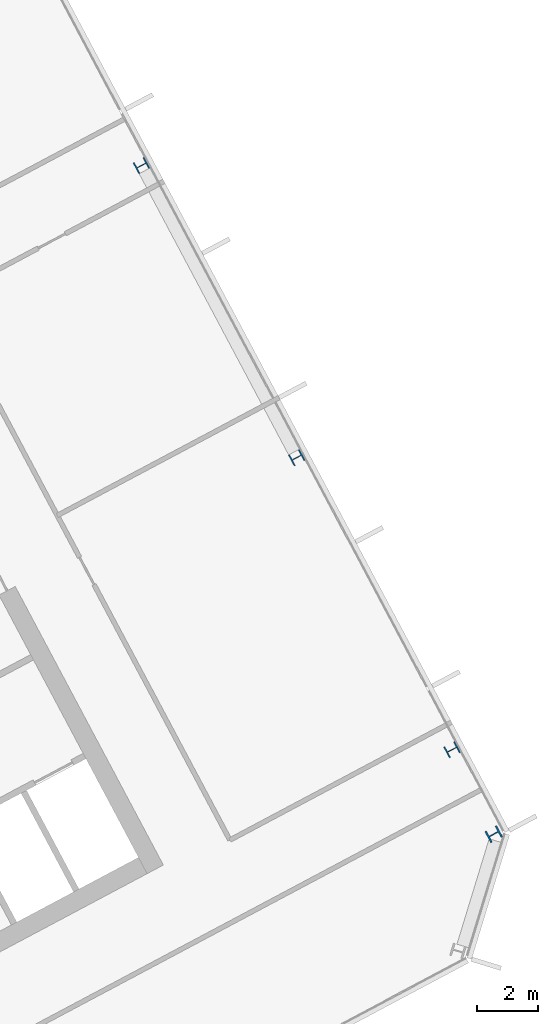
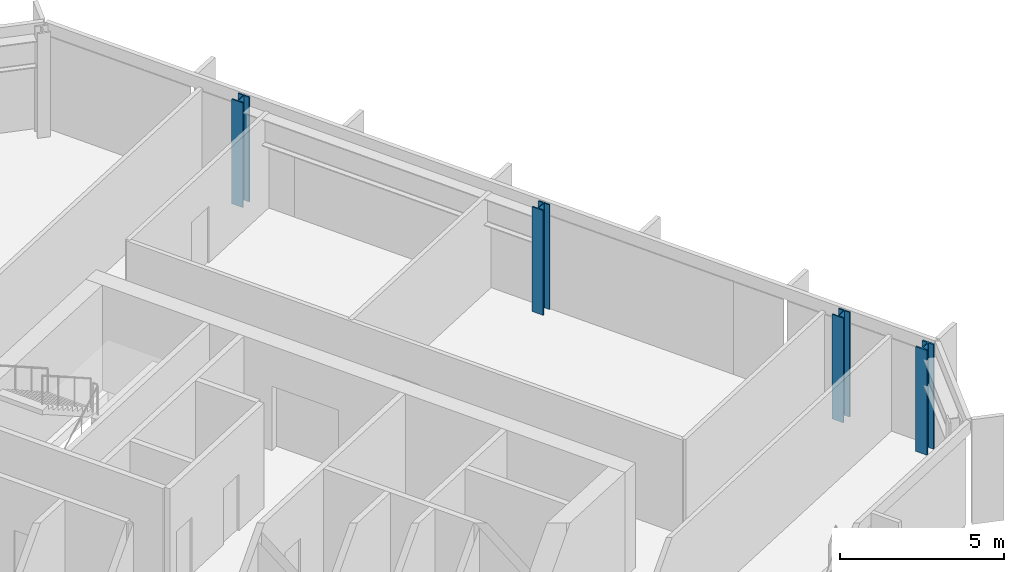
# One storey, part 7 of 26: 4 columns.
"""IFC4 building model written with IfcOpenShell, lengths in metres."""

from ifc_helpers import new_model, si_unit, direction, frame, origin, origin_2d, place, context, subcontext, project, spatial, i_section, extrude, material, material_profile, profile_set, type_object, element, save


model = new_model("IFC4")

# Units and contexts
model_context = context("Model", 3, precision=1e-05, world=origin(), true_north=direction((0.0, 1.0)))
body_context = subcontext(model_context, "Body", "Model", "MODEL_VIEW")
ifc_project = project(units=[si_unit("LENGTHUNIT", "METRE"), si_unit("AREAUNIT", "SQUARE_METRE"), si_unit("VOLUMEUNIT", "CUBIC_METRE"), si_unit("PLANEANGLEUNIT", "RADIAN"), si_unit("MASSUNIT", "GRAM", prefix="KILO")], contexts=[model_context])

# Site, building, storey
site_placement = place(None, origin())
site = spatial("IfcSite", under=ifc_project, at=site_placement, CompositionType="ELEMENT")
building_placement = place(site_placement, origin())
building = spatial("IfcBuilding", under=site, at=building_placement, Name="Cormorant Relay Tower", CompositionType="ELEMENT")
storey_placement = place(building_placement, frame((0.0, 0.0, 197.39990234375)))
storey = spatial("IfcBuildingStorey", under=building, at=storey_placement, Name="L42", CompositionType="ELEMENT", Elevation=197.39990234375)

# Columns
ifc_material_1 = material(Name="Steel ASTM A992 (Fy 345 MPa)", Category="steel")
ifc_material_profile_1 = material_profile(ifc_material_1, i_section(OverallWidth=0.40380859375, OverallDepth=0.406494140625, WebThickness=0.027099609375, FlangeThickness=0.043701171875, FilletRadius=0.01513671875, at=origin_2d()), Name="W360x347")
ifc_profile_set_1 = profile_set([ifc_material_profile_1], Name="Steel ASTM A992 (Fy 345 MPa)")
column_type_1 = type_object("IfcColumnType", Name="Column W360x347", PredefinedType="COLUMN", material=ifc_profile_set_1)
for number, where, z_axis, x_axis, name in (
    (1, (47.26611328125, 12.89990234375, 0.0), (0.0, 0.0, 1.0), (-0.469471562786, 0.882947592859, 0.0), "Column L42-026"),
    (2, (42.196044921875, 22.43603515625, 0.0), (0.0, 0.0, 1.0), (-0.469471562786, 0.882947592859, 0.0), "Column L42-029"),
    (3, (37.1259765625, 31.971923828125, 0.0), (0.0, 0.0, 1.0), (-0.469471562786, 0.882947592859, 0.0), "Column L42-036"),
):
    element("IfcColumn", number, at=place(storey_placement, frame(where, z_axis=z_axis, x_axis=x_axis)), inside=storey, type_object=column_type_1, Name=name, PredefinedType="COLUMN", context=body_context, shape_type="SweptSolid", body=[
        extrude(i_section(OverallWidth=0.40380859375, OverallDepth=0.406494140625, WebThickness=0.027099609375, FlangeThickness=0.043701171875, FilletRadius=0.01513671875, at=origin_2d()), origin(), (0.0, 0.0, 1.0), 3.900146484375),
    ])
ifc_material_2 = material(Name="Steel ASTM A992 (Fy 345 MPa)", Category="steel")
ifc_material_profile_2 = material_profile(ifc_material_2, i_section(OverallWidth=0.41162109375, OverallDepth=0.434326171875, WebThickness=0.035888671875, FlangeThickness=0.057373046875, FilletRadius=0.01513671875, at=origin_2d()), Name="W360x463")
ifc_profile_set_2 = profile_set([ifc_material_profile_2], Name="Steel ASTM A992 (Fy 345 MPa)")
column_type_2 = type_object("IfcColumnType", Name="Column W360x463", PredefinedType="COLUMN", material=ifc_profile_set_2)
column_placement = place(storey_placement, frame((48.6259765625, 10.14208984375, 0.0), z_axis=(0.0, 0.0, 1.0), x_axis=(-0.469471562786, 0.882947592859, 0.0)))
element("IfcColumn", 4, at=column_placement, inside=storey, type_object=column_type_2, Name="Column L42-021", PredefinedType="COLUMN", context=body_context, shape_type="SweptSolid", body=[
    extrude(i_section(OverallWidth=0.41162109375, OverallDepth=0.434326171875, WebThickness=0.035888671875, FlangeThickness=0.057373046875, FilletRadius=0.01513671875, at=origin_2d()), origin(), (0.0, 0.0, 1.0), 3.900146484375),
])

save(model, "model.ifc")
